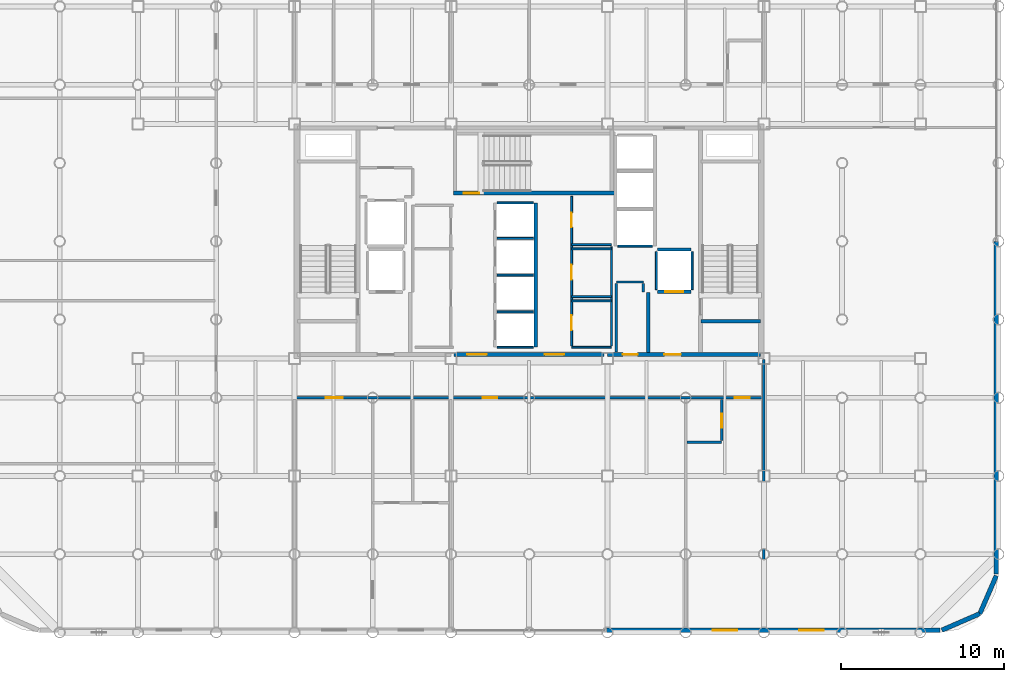
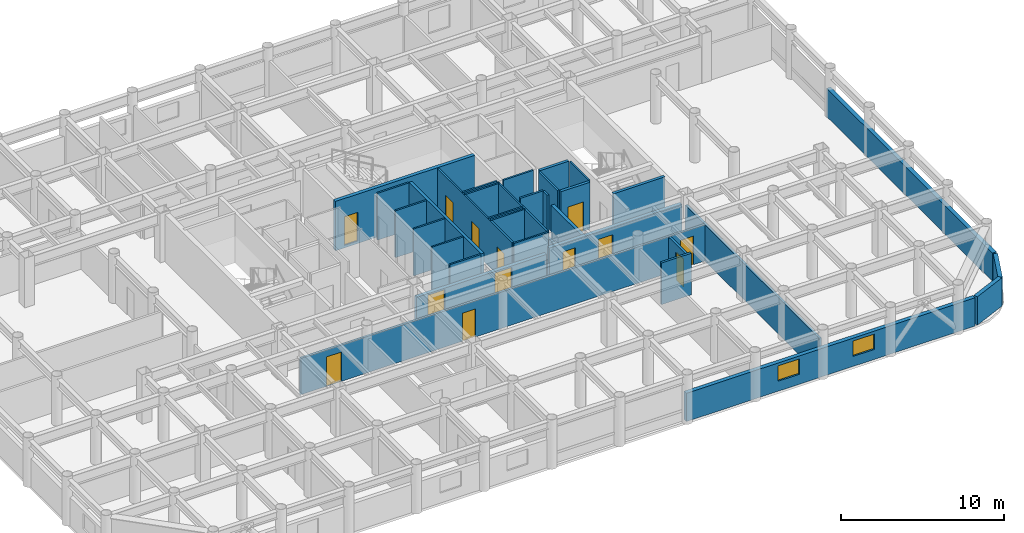
# One storey, part 17 of 20: 34 walls, 13 doors, 2 windows, 15 openings.
"""IFC4 building model written with IfcOpenShell, lengths in metres."""

import ifcopenshell
import ifcopenshell.guid

model = None  # the IFC model being written
_history = None  # IfcOwnerHistory: only IFC2X3 demands one
_inside = {}  # id of a spatial element -> (the spatial element, [elements in it])
_under = {}  # id of a project, library or spatial element -> (it, [spatial elements below it])
_declared = {}  # id of a project -> (the project, [libraries it declares])
_typed = {}  # id of a type object -> (the type object, [elements of that type])
_made_of = {}  # id of a material, layer set ... -> (it, [elements and type objects made of it])


def new_model(schema):
    """Start an empty IFC model of exactly this schema.

    Asked for "IFC4X3", IfcOpenShell would pick the latest addendum, in which some entities
    have other attributes; the version numbers below select the first issue.
    IFC2X3 requires an IfcOwnerHistory on every rooted entity: one is made here for all.
    """
    global model, _history
    if schema == "IFC4X3":
        model = ifcopenshell.file(schema_version=(4, 3, 0, 0))
    else:
        model = ifcopenshell.file(schema=schema)
    _inside.clear()
    _under.clear()
    _declared.clear()
    _typed.clear()
    _made_of.clear()
    _history = None
    if model.schema == "IFC2X3":
        org = make("IfcOrganization", Name="unknown")
        user = make(
            "IfcPersonAndOrganization",
            ThePerson=make("IfcPerson", FamilyName="unknown"),
            TheOrganization=org,
        )
        app = make(
            "IfcApplication",
            ApplicationDeveloper=org,
            Version="unknown",
            ApplicationFullName="unknown",
            ApplicationIdentifier="unknown",
        )
        _history = make(
            "IfcOwnerHistory",
            OwningUser=user,
            OwningApplication=app,
            ChangeAction="ADDED",
            CreationDate=0,
        )
    return model


def make(cls, **values):
    """One entity of the class cls with the attributes given. An attribute that is None is left unset."""
    return model.create_entity(
        cls, **{name: value for name, value in values.items() if value is not None}
    )


def rooted(cls, **values):
    """An entity with a GlobalId (a new one), such as an element, a storey or a relation."""
    return make(cls, GlobalId=ifcopenshell.guid.new(), OwnerHistory=_history, **values)


def si_unit(unit_type, name, prefix=None):
    """IfcSIUnit, for example si_unit("LENGTHUNIT", "METRE", prefix="MILLI")."""
    return make("IfcSIUnit", UnitType=unit_type, Prefix=prefix, Name=name)


def assignment(units):
    """IfcUnitAssignment: the units of a project."""
    return None if units is None else make("IfcUnitAssignment", Units=units)


def point(xyz):
    """IfcCartesianPoint."""
    return None if xyz is None else make("IfcCartesianPoint", Coordinates=xyz)


def direction(xyz):
    """IfcDirection."""
    return None if xyz is None else make("IfcDirection", DirectionRatios=xyz)


def frame(location, z_axis=None, x_axis=None):
    """IfcAxis2Placement3D, a coordinate frame: its origin and axes. An axis left out is left unset."""
    return make(
        "IfcAxis2Placement3D",
        Location=point(location),
        Axis=direction(z_axis),
        RefDirection=direction(x_axis),
    )


def frame_2d(location, x_axis=None):
    """IfcAxis2Placement2D, a coordinate frame in the plane: its origin and x axis."""
    return make(
        "IfcAxis2Placement2D", Location=point(location), RefDirection=direction(x_axis)
    )


def origin():
    """The frame at (0, 0, 0) with its axes left unset."""
    return frame((0.0, 0.0, 0.0))


def place(relative_to, where):
    """IfcLocalPlacement: puts the frame where relative to a parent placement (None: the world)."""
    return make(
        "IfcLocalPlacement", PlacementRelTo=relative_to, RelativePlacement=where
    )


def context(
    kind, dimensions, precision=None, world=None, true_north=None, identifier=None
):
    """IfcGeometricRepresentationContext, for example the 3D "Model" context."""
    return make(
        "IfcGeometricRepresentationContext",
        ContextIdentifier=identifier,
        ContextType=kind,
        CoordinateSpaceDimension=dimensions,
        Precision=precision,
        WorldCoordinateSystem=world,
        TrueNorth=true_north,
    )


def subcontext(parent, identifier, kind, view, scale=None):
    """IfcGeometricRepresentationSubContext, for example "Body" below "Model"."""
    return make(
        "IfcGeometricRepresentationSubContext",
        ContextIdentifier=identifier,
        ContextType=kind,
        ParentContext=parent,
        TargetScale=scale,
        TargetView=view,
    )


def project(units=None, contexts=None):
    """IfcProject with its units and contexts."""
    return rooted(
        "IfcProject",
        Name="project",
        RepresentationContexts=contexts,
        UnitsInContext=assignment(units),
    )


def spatial(cls, under=None, at=None, **own):
    """A site, building, storey or space (cls), placed at a placement, below another one or the project."""
    s = rooted(cls, ObjectPlacement=at, **own)
    if under is not None:
        _under.setdefault(under.id(), (under, []))[1].append(s)
    return s


def profile(cls, at=None, kind="AREA", **sizes):
    """A parametric profile (cls). Its sizes go by their IFC names, for example OverallWidth=200.0."""
    return make(cls, ProfileType=kind, Position=at, **sizes)


def rectangle(**sizes):
    """IfcRectangleProfileDef."""
    return profile("IfcRectangleProfileDef", **sizes)


def extrude(swept, where, along, depth):
    """IfcExtrudedAreaSolid: the profile swept, set in the frame where, extruded along a direction by depth."""
    return make(
        "IfcExtrudedAreaSolid",
        SweptArea=swept,
        Position=where,
        ExtrudedDirection=direction(along),
        Depth=depth,
    )


def shape(context_of_items, identifier, shape_type, items):
    """IfcShapeRepresentation: the items that make up one representation, for example the "Body"."""
    return make(
        "IfcShapeRepresentation",
        ContextOfItems=context_of_items,
        RepresentationIdentifier=identifier,
        RepresentationType=shape_type,
        Items=items,
    )


def material(Name=None, Category=None):
    """IfcMaterial."""
    return make("IfcMaterial", Name=Name, Category=Category)


def layer(
    of_material, thickness, ventilated=None, Name=None, Category=None, Priority=None
):
    """IfcMaterialLayer: one layer of a wall or slab, of a material (None: an air gap)."""
    return make(
        "IfcMaterialLayer",
        Material=of_material,
        LayerThickness=thickness,
        IsVentilated=ventilated,
        Name=Name,
        Category=Category,
        Priority=Priority,
    )


def layer_set(layers, Name=None):
    """IfcMaterialLayerSet."""
    return make("IfcMaterialLayerSet", MaterialLayers=layers, LayerSetName=Name)


def made_of(thing, what):
    """Note that an element or type object is made of a material, layer set ...; save() writes the relation."""
    if what is not None:
        _made_of.setdefault(what.id(), (what, []))[1].append(thing)
    return thing


def type_object(cls, material=None, **own):
    """A type object (cls), such as IfcWallType, which elements share."""
    return made_of(rooted(cls, **own), material)


def element(
    cls,
    number,
    at=None,
    inside=None,
    cuts=None,
    type_object=None,
    material=None,
    context=None,
    identifier="Body",
    shape_type=None,
    held_by="IfcProductDefinitionShape",
    body=None,
    shapes=None,
    **own,
):
    """One element of the class cls, such as IfcWall. Its Tag is "e" and its number.

    at: its placement. inside: the storey or other place that contains it. cuts: it is an
    opening in that element (IfcRelVoidsElement). A single representation is given by context,
    identifier, shape_type and body (its items); several are given by shapes. held_by: the class
    of the entity that holds the representations. save() writes the other relations.
    """
    e = rooted(cls, Tag="e%d" % number, ObjectPlacement=at, **own)
    if body is not None:
        shapes = [shape(context, identifier, shape_type, body)]
    if shapes is not None:
        e.Representation = make(held_by, Representations=shapes)
    if inside is not None:
        _inside.setdefault(inside.id(), (inside, []))[1].append(e)
    if cuts is not None:
        rooted(
            "IfcRelVoidsElement", RelatingBuildingElement=cuts, RelatedOpeningElement=e
        )
    if type_object is not None:
        _typed.setdefault(type_object.id(), (type_object, []))[1].append(e)
    return made_of(e, material)


def fill(opening, filler):
    """IfcRelFillsElement: the door or window that sits in an opening."""
    return rooted(
        "IfcRelFillsElement",
        RelatingOpeningElement=opening,
        RelatedBuildingElement=filler,
    )


def aggregate(whole, parts):
    """IfcRelAggregates: a whole, such as a stair, and the parts it consists of."""
    return rooted("IfcRelAggregates", RelatingObject=whole, RelatedObjects=parts)


def save(model, path):
    """Write the relations noted so far, then the file.

    IfcRelAggregates (storeys below a building ...), IfcRelContainedInSpatialStructure (elements
    in a storey), IfcRelDefinesByType, IfcRelAssociatesMaterial and IfcRelDeclares: one each for
    every whole, place, type object, material and project.
    """
    for whole, parts in _under.values():
        aggregate(whole, parts)
    for where, things in _inside.values():
        rooted(
            "IfcRelContainedInSpatialStructure",
            RelatedElements=things,
            RelatingStructure=where,
        )
    for kind, things in _typed.values():
        rooted("IfcRelDefinesByType", RelatedObjects=things, RelatingType=kind)
    for what, things in _made_of.values():
        rooted("IfcRelAssociatesMaterial", RelatedObjects=things, RelatingMaterial=what)
    for by, libraries in _declared.values():
        rooted("IfcRelDeclares", RelatingContext=by, RelatedDefinitions=libraries)
    model.write(path)


model = new_model("IFC4")

# Units and contexts
model_context = context("Model", 3, precision=1e-05, world=origin(), true_north=direction((0.0, 1.0)))
body_context = subcontext(model_context, "Body", "Model", "MODEL_VIEW")
ifc_project = project(units=[si_unit("LENGTHUNIT", "METRE"), si_unit("AREAUNIT", "SQUARE_METRE"), si_unit("VOLUMEUNIT", "CUBIC_METRE"), si_unit("PLANEANGLEUNIT", "RADIAN"), si_unit("MASSUNIT", "GRAM", prefix="KILO")], contexts=[model_context])

# Site, building, storey
site_placement = place(None, origin())
site = spatial("IfcSite", under=ifc_project, at=site_placement, CompositionType="ELEMENT")
building_placement = place(site_placement, origin())
building = spatial("IfcBuilding", under=site, at=building_placement, Name="Kallvorn Hotel Tower", CompositionType="ELEMENT")
storey_placement = place(building_placement, frame((0.0, 0.0, 172.89990234375)))
storey = spatial("IfcBuildingStorey", under=building, at=storey_placement, Name="L43", CompositionType="ELEMENT", Elevation=172.89990234375)

# Wall
ifc_material_1 = material(Name="Fire-rated double-layer acoustic gypsum drywall EI 60")
ifc_layer_1 = layer(ifc_material_1, 0.159912109375)
ifc_layer_set_1 = layer_set([ifc_layer_1], Name="WL_DEMISE_160")
wall_type_1 = type_object("IfcWallType", Name="WL_DEMISE_160", PredefinedType="PARTITIONING", material=ifc_layer_set_1)
wall_1_placement = place(storey_placement, frame((9.679931640625, -12.320068359375, 0.0), z_axis=(0.0, 0.0, 1.0), x_axis=(1.0, 0.0, 0.0)))
element("IfcWall", 1, at=wall_1_placement, inside=storey, type_object=wall_type_1, Name="L43 Suite 4302 Deluxe King Room Partition", PredefinedType="PARTITIONING", context=body_context, shape_type="SweptSolid", body=[
    extrude(rectangle(XDim=2.130126953125, YDim=0.159912109375, at=frame_2d((1.06494140625, 0.0))), origin(), (0.0, 0.0, 1.0), 3.1201171875),
])

# Wall, openings, doors
wall_2_placement = place(storey_placement, frame((-14.320068359375, -9.60009765625, 0.0), z_axis=(0.0, 0.0, 1.0), x_axis=(1.0, 0.0, 0.0)))
wall_2 = element("IfcWall", 2, at=wall_2_placement, inside=storey, type_object=wall_type_1, Name="L43 Suite 4301 Executive Living Salon Partition", PredefinedType="PARTITIONING", context=body_context, shape_type="SweptSolid", body=[
    extrude(rectangle(XDim=28.64013671875, YDim=0.159912109375, at=frame_2d((14.320068359375, 0.0))), origin(), (0.0, 0.0, 1.0), 2.72021484375),
])
opening_1_placement = place(wall_2_placement, frame((1.8349609375, 0.0, 0.0)))
opening_1 = element("IfcOpeningElement", 3, at=opening_1_placement, cuts=wall_2, Name="Opening GD2", PredefinedType="OPENING", context=body_context, shape_type="SweptSolid", body=[
    extrude(rectangle(XDim=1.050048828125, YDim=2.199951171875, at=frame_2d((0.52490234375, 1.10009765625))), frame((0.0, 0.094970703125, 0.0), z_axis=(0.0, -1.0, 0.0), x_axis=(1.0, 0.0, 0.0)), (0.0, 0.0, 1.0), 0.18994140625),
])
opening_2_placement = place(wall_2_placement, frame((11.469970703125, 0.0, 0.0)))
opening_2 = element("IfcOpeningElement", 4, at=opening_2_placement, cuts=wall_2, Name="Opening SVD1", PredefinedType="OPENING", context=body_context, shape_type="SweptSolid", body=[
    extrude(rectangle(XDim=0.89990234375, YDim=2.10009765625, at=frame_2d((0.449951171875, 1.050048828125))), frame((0.0, 0.094970703125, 0.0), z_axis=(0.0, -1.0, 0.0), x_axis=(1.0, 0.0, 0.0)), (0.0, 0.0, 1.0), 0.18994140625),
])
opening_3_placement = place(wall_2_placement, frame((26.925048828125, 0.0, 0.0)))
opening_3 = element("IfcOpeningElement", 5, at=opening_3_placement, cuts=wall_2, Name="Opening GD1", PredefinedType="OPENING", context=body_context, shape_type="SweptSolid", body=[
    extrude(rectangle(XDim=0.919921875, YDim=2.14990234375, at=frame_2d((0.4599609375, 1.074951171875))), frame((0.0, 0.094970703125, 0.0), z_axis=(0.0, -1.0, 0.0), x_axis=(1.0, 0.0, 0.0)), (0.0, 0.0, 1.0), 0.18994140625),
])
ifc_material_2 = material(Name="Solid-core walnut veneer fire-rated timber door leaf", Category="wood")
door_type_1 = type_object("IfcDoorType", Name="DR_GUEST_920x2150", OperationType="NOTDEFINED", PredefinedType="DOOR", material=ifc_material_2)
door_1_placement = place(opening_3_placement, origin())
door_1 = element("IfcDoor", 6, at=door_1_placement, inside=storey, type_object=door_type_1, Name="L43 Suite 4302 Deluxe King Room Door", OperationType="SINGLE_SWING_RIGHT", OverallHeight=2.14990234375, OverallWidth=0.919921875, PredefinedType="DOOR", context=body_context, shape_type="SweptSolid", body=[
    extrude(rectangle(XDim=0.919921875, YDim=2.14990234375, at=frame_2d((0.4599609375, 1.074951171875))), frame((0.0, 0.02490234375, 0.0), z_axis=(0.0, -1.0, 0.0), x_axis=(1.0, 0.0, 0.0)), (0.0, 0.0, 1.0), 0.050048828125),
])
fill(opening_3, door_1)
ifc_material_3 = material(Name="Galvanised painted steel fire-rated door assembly", Category="steel")
door_type_2 = type_object("IfcDoorType", Name="DR_SERV_900x2100", OperationType="NOTDEFINED", PredefinedType="DOOR", material=ifc_material_3)
door_2_placement = place(opening_2_placement, origin())
door_2 = element("IfcDoor", 7, at=door_2_placement, inside=storey, type_object=door_type_2, Name="L43 L43 Panoramic Club Sky Lounge 2 Door", OperationType="SINGLE_SWING_RIGHT", OverallHeight=2.10009765625, OverallWidth=0.89990234375, PredefinedType="DOOR", context=body_context, shape_type="SweptSolid", body=[
    extrude(rectangle(XDim=0.89990234375, YDim=2.10009765625, at=frame_2d((0.449951171875, 1.050048828125))), frame((0.0, 0.02490234375, 0.0), z_axis=(0.0, -1.0, 0.0), x_axis=(1.0, 0.0, 0.0)), (0.0, 0.0, 1.0), 0.050048828125),
])
fill(opening_2, door_2)
ifc_material_4 = material(Name="Solid-core walnut veneer fire-rated timber door leaf", Category="wood")
door_type_3 = type_object("IfcDoorType", Name="DR_SUITE_1050x2200", OperationType="NOTDEFINED", PredefinedType="DOOR", material=ifc_material_4)
door_3_placement = place(opening_1_placement, origin())
door_3 = element("IfcDoor", 8, at=door_3_placement, inside=storey, type_object=door_type_3, Name="L43 Suite 4301 Executive Living Salon Door", OperationType="SINGLE_SWING_LEFT", OverallHeight=2.199951171875, OverallWidth=1.050048828125, PredefinedType="DOOR", context=body_context, shape_type="SweptSolid", body=[
    extrude(rectangle(XDim=1.050048828125, YDim=2.199951171875, at=frame_2d((0.52490234375, 1.10009765625))), frame((0.0, 0.02490234375, 0.0), z_axis=(0.0, -1.0, 0.0), x_axis=(1.0, 0.0, 0.0)), (0.0, 0.0, 1.0), 0.050048828125),
])
fill(opening_1, door_3)

# Wall, opening, door
wall_3_placement = place(storey_placement, frame((11.81005859375, -12.235107421875, 0.0), z_axis=(0.0, 0.0, 1.0), x_axis=(0.0, 1.0, 0.0)))
wall_3 = element("IfcWall", 9, at=wall_3_placement, inside=storey, type_object=wall_type_1, Name="L43 Suite 4302 Deluxe King Room Partition", PredefinedType="PARTITIONING", context=body_context, shape_type="SweptSolid", body=[
    extrude(rectangle(XDim=2.51513671875, YDim=0.159912109375, at=frame_2d((1.257568359375, 0.0))), origin(), (0.0, 0.0, 1.0), 2.72021484375),
])
opening_4_placement = place(wall_3_placement, frame((0.784912109375, 0.0, 0.0)))
opening_4 = element("IfcOpeningElement", 10, at=opening_4_placement, cuts=wall_3, Name="Opening BD-I", PredefinedType="OPENING", context=body_context, shape_type="SweptSolid", body=[
    extrude(rectangle(XDim=0.860107421875, YDim=2.10009765625, at=frame_2d((0.43017578125, 1.050048828125))), frame((0.0, 0.094970703125, 0.0), z_axis=(0.0, -1.0, 0.0), x_axis=(1.0, 0.0, 0.0)), (0.0, 0.0, 1.0), 0.18994140625),
])
ifc_material_5 = material(Name="Solid-core walnut veneer fire-rated timber door leaf", Category="wood")
door_type_4 = type_object("IfcDoorType", Name="DR_BATH_860x2100", OperationType="NOTDEFINED", PredefinedType="DOOR", material=ifc_material_5)
door_4_placement = place(opening_4_placement, origin())
door_4 = element("IfcDoor", 11, at=door_4_placement, inside=storey, type_object=door_type_4, Name="L43 Suite 4302 En-Suite Bathroom Door", OperationType="SINGLE_SWING_LEFT", OverallHeight=2.10009765625, OverallWidth=0.860107421875, PredefinedType="DOOR", context=body_context, shape_type="SweptSolid", body=[
    extrude(rectangle(XDim=0.860107421875, YDim=2.10009765625, at=frame_2d((0.43017578125, 1.050048828125))), frame((0.0, 0.02490234375, 0.0), z_axis=(0.0, -1.0, 0.0), x_axis=(1.0, 0.0, 0.0)), (0.0, 0.0, 1.0), 0.050048828125),
])
fill(opening_4, door_4)

# Walls
wall_4_placement = place(storey_placement, frame((14.39990234375, -23.7099609375, 0.0), z_axis=(0.0, 0.0, 1.0), x_axis=(0.0, 1.0, 0.0)))
element("IfcWall", 12, at=wall_4_placement, inside=storey, type_object=wall_type_1, Name="L43 Suite 4302 Deluxe King Room Partition", PredefinedType="PARTITIONING", context=body_context, shape_type="SweptSolid", body=[
    extrude(rectangle(XDim=16.469970703125, YDim=0.159912109375, at=frame_2d((8.23486328125, 0.0))), origin(), (0.0, 0.0, 1.0), 2.72021484375),
])
ifc_material_6 = material(Name="Precast basalt-clad insulated concrete wall C40/50", Category="masonry")
ifc_layer_2 = layer(ifc_material_6, 0.280029296875)
ifc_layer_set_2 = layer_set([ifc_layer_2], Name="WL_EXT_LOGGIA_280")
wall_type_2 = type_object("IfcWallType", Name="WL_EXT_LOGGIA_280", PredefinedType="SOLIDWALL", material=ifc_layer_set_2)
wall_5_placement = place(storey_placement, frame((25.32080078125, -23.85791015625, 0.0), z_axis=(0.0, 0.0, 1.0), x_axis=(0.917060872934, 0.398747232384, 0.0)))
element("IfcWall", 13, at=wall_5_placement, inside=storey, type_object=wall_type_2, Name="L43 Rounded Corner Exterior Wall SE1", PredefinedType="SOLIDWALL", context=body_context, shape_type="SweptSolid", body=[
    extrude(rectangle(XDim=2.5361328125, YDim=0.280029296875, at=frame_2d((1.26806640625, 0.0))), origin(), (0.0, 0.0, 1.0), 2.1201171875),
])
wall_6_placement = place(storey_placement, frame((27.646484375, -22.8466796875, 0.0), z_axis=(0.0, 0.0, 1.0), x_axis=(0.398792985289, 0.917040977756, 0.0)))
element("IfcWall", 14, at=wall_6_placement, inside=storey, type_object=wall_type_2, Name="L43 Rounded Corner Exterior Wall SE2", PredefinedType="SOLIDWALL", context=body_context, shape_type="SweptSolid", body=[
    extrude(rectangle(XDim=2.536376953125, YDim=0.280029296875, at=frame_2d((1.26806640625, 0.0))), origin(), (0.0, 0.0, 1.0), 2.1201171875),
])

# Wall, openings, windows
wall_7_placement = place(storey_placement, frame((4.75, -23.860107421875, 0.0), z_axis=(0.0, 0.0, 1.0), x_axis=(1.0, 0.0, 0.0)))
wall_7 = element("IfcWall", 15, at=wall_7_placement, inside=storey, type_object=wall_type_2, Name="L43 Exterior Envelope Wall EW-L43-SE", PredefinedType="SOLIDWALL", context=body_context, shape_type="SweptSolid", body=[
    extrude(rectangle(XDim=20.449951171875, YDim=0.280029296875, at=frame_2d((10.22509765625, 0.0))), origin(), (0.0, 0.0, 1.0), 2.1201171875),
])
opening_5_placement = place(wall_7_placement, frame((11.81689453125, 0.0, 0.75)))
opening_5 = element("IfcOpeningElement", 16, at=opening_5_placement, cuts=wall_7, Name="Opening W05A", PredefinedType="OPENING", context=body_context, shape_type="SweptSolid", body=[
    extrude(rectangle(XDim=1.5, YDim=1.14990234375, at=frame_2d((0.75, 0.574951171875))), frame((0.0, 0.155029296875, 0.0), z_axis=(0.0, -1.0, 0.0), x_axis=(1.0, 0.0, 0.0)), (0.0, 0.0, 1.0), 0.31005859375),
])
opening_6_placement = place(wall_7_placement, frame((6.5, 0.0, 0.75)))
opening_6 = element("IfcOpeningElement", 17, at=opening_6_placement, cuts=wall_7, Name="Opening W05A", PredefinedType="OPENING", context=body_context, shape_type="SweptSolid", body=[
    extrude(rectangle(XDim=1.5, YDim=1.14990234375, at=frame_2d((0.75, 0.574951171875))), frame((0.0, 0.155029296875, 0.0), z_axis=(0.0, -1.0, 0.0), x_axis=(1.0, 0.0, 0.0)), (0.0, 0.0, 1.0), 0.31005859375),
])
ifc_material_7 = material(Name="Double-glazed low-e solar-control dark glass", Category="glass")
window_type = type_object("IfcWindowType", Name="WN_HTL_1500x1150", PartitioningType="SINGLE_PANEL", PredefinedType="WINDOW", material=ifc_material_7)
window_1_placement = place(opening_5_placement, origin())
window_1 = element("IfcWindow", 18, at=window_1_placement, inside=storey, type_object=window_type, Name="L43 Guestroom Exterior Window 05", OverallHeight=1.14990234375, OverallWidth=1.5, PartitioningType="SINGLE_PANEL", PredefinedType="WINDOW", context=body_context, shape_type="SweptSolid", body=[
    extrude(rectangle(XDim=1.5, YDim=1.14990234375, at=frame_2d((0.75, 0.574951171875))), frame((0.0, 0.030029296875, 0.0), z_axis=(0.0, -1.0, 0.0), x_axis=(1.0, 0.0, 0.0)), (0.0, 0.0, 1.0), 0.06005859375),
])
fill(opening_5, window_1)
window_2_placement = place(opening_6_placement, origin())
window_2 = element("IfcWindow", 19, at=window_2_placement, inside=storey, type_object=window_type, Name="L43 Guestroom Exterior Window 08", OverallHeight=1.14990234375, OverallWidth=1.5, PartitioningType="SINGLE_PANEL", PredefinedType="WINDOW", context=body_context, shape_type="SweptSolid", body=[
    extrude(rectangle(XDim=1.5, YDim=1.14990234375, at=frame_2d((0.75, 0.574951171875))), frame((0.0, 0.030029296875, 0.0), z_axis=(0.0, -1.0, 0.0), x_axis=(1.0, 0.0, 0.0)), (0.0, 0.0, 1.0), 0.06005859375),
])
fill(opening_6, window_2)

# Walls
wall_8_placement = place(storey_placement, frame((28.659912109375, -20.39990234375, 0.0), z_axis=(0.0, 0.0, 1.0), x_axis=(0.0, 1.0, 0.0)))
element("IfcWall", 20, at=wall_8_placement, inside=storey, type_object=wall_type_2, Name="L43 Exterior Envelope Wall EW-L43-ES", PredefinedType="SOLIDWALL", context=body_context, shape_type="SweptSolid", body=[
    extrude(rectangle(XDim=20.3798828125, YDim=0.280029296875, at=frame_2d((10.18994140625, 0.0))), origin(), (0.0, 0.0, 1.0), 2.1201171875),
])
ifc_material_8 = material(Name="Concrete C40/50", Category="concrete")
ifc_layer_3 = layer(ifc_material_8, 0.219970703125)
ifc_layer_set_3 = layer_set([ifc_layer_3], Name="WL_FFL_220")
wall_type_3 = type_object("IfcWallType", Name="WL_FFL_220", PredefinedType="SOLIDWALL", material=ifc_layer_set_3)
wall_9_placement = place(storey_placement, frame((7.300048828125, -6.820068359375, 0.0), z_axis=(0.0, 0.0, 1.0), x_axis=(0.0, 1.0, 0.0)))
element("IfcWall", 21, at=wall_9_placement, inside=storey, type_object=wall_type_3, Name="L43 Firefighting Lobby East Divider Wall", PredefinedType="SOLIDWALL", context=body_context, shape_type="SweptSolid", body=[
    extrude(rectangle(XDim=3.670166015625, YDim=0.219970703125, at=frame_2d((1.8349609375, 0.0))), origin(), (0.0, 0.0, 1.0), 2.72021484375),
])
ifc_material_9 = material(Name="Concrete C40/50", Category="concrete")
ifc_layer_4 = layer(ifc_material_9, 0.199951171875)
ifc_layer_set_4 = layer_set([ifc_layer_4], Name="WL_HOIST_200")
wall_type_4 = type_object("IfcWallType", Name="WL_HOIST_200", PredefinedType="SOLIDWALL", material=ifc_layer_set_4)
wall_10_placement = place(storey_placement, frame((10.550048828125, -4.89990234375, -0.179931640625), z_axis=(0.0, 0.0, 1.0), x_axis=(1.0, 0.0, 0.0)))
element("IfcWall", 22, at=wall_10_placement, inside=storey, type_object=wall_type_4, Name="L43 Stair ST2 South Wall", PredefinedType="SOLIDWALL", context=body_context, shape_type="SweptSolid", body=[
    extrude(rectangle(XDim=3.64990234375, YDim=0.199951171875, at=frame_2d((1.824951171875, 0.0))), origin(), (0.0, 0.0, 1.0), 3.699951171875),
])
wall_11_placement = place(storey_placement, frame((0.39990234375, -6.5, 0.0), z_axis=(0.0, 0.0, 1.0), x_axis=(0.0, 1.0, 0.0)))
element("IfcWall", 23, at=wall_11_placement, inside=storey, type_object=wall_type_4, Name="L43 Lift Bank B2 Rear Shaft Wall", PredefinedType="SOLIDWALL", context=body_context, shape_type="SweptSolid", body=[
    extrude(rectangle(XDim=8.85009765625, YDim=0.199951171875, at=frame_2d((4.425048828125, 0.0))), origin(), (0.0, 0.0, 1.0), 3.52001953125),
])

# Wall, opening, door
wall_12_placement = place(storey_placement, frame((7.8798828125, -3.10009765625, 0.0), z_axis=(0.0, 0.0, 1.0), x_axis=(1.0, 0.0, 0.0)))
wall_12 = element("IfcWall", 24, at=wall_12_placement, inside=storey, type_object=wall_type_4, Name="L43 FL-2 Landing Wall", PredefinedType="SOLIDWALL", context=body_context, shape_type="SweptSolid", body=[
    extrude(rectangle(XDim=2.0400390625, YDim=0.199951171875, at=frame_2d((1.02001953125, 0.0))), origin(), (0.0, 0.0, 1.0), 3.52001953125),
])
opening_7_placement = place(wall_12_placement, frame((0.469970703125, 0.0, 0.0)))
opening_7 = element("IfcOpeningElement", 25, at=opening_7_placement, cuts=wall_12, Name="Opening LD-FL-2", PredefinedType="OPENING", context=body_context, shape_type="SweptSolid", body=[
    extrude(rectangle(XDim=1.10009765625, YDim=2.199951171875, at=frame_2d((0.550048828125, 1.10009765625))), frame((0.0, 0.114990234375, 0.0), z_axis=(0.0, -1.0, 0.0), x_axis=(1.0, 0.0, 0.0)), (0.0, 0.0, 1.0), 0.22998046875),
])
ifc_material_10 = material(Name="Brushed stainless-steel automatic sliding lift landing door", Category="steel")
door_type_5 = type_object("IfcDoorType", Name="LD_PASS_1100x2200", OperationType="SLIDING_TO_LEFT", PredefinedType="DOOR", material=ifc_material_10)
door_5_placement = place(opening_7_placement, origin())
door_5 = element("IfcDoor", 26, at=door_5_placement, inside=storey, type_object=door_type_5, Name="L43 Lift Landing Sliding Door LD-FL-2", OperationType="SLIDING_TO_LEFT", OverallHeight=2.199951171875, OverallWidth=1.10009765625, PredefinedType="DOOR", context=body_context, shape_type="SweptSolid", body=[
    extrude(rectangle(XDim=1.10009765625, YDim=2.199951171875, at=frame_2d((0.550048828125, 1.10009765625))), frame((0.0, 0.02490234375, 0.0), z_axis=(0.0, -1.0, 0.0), x_axis=(1.0, 0.0, 0.0)), (0.0, 0.0, 1.0), 0.050048828125),
])
fill(opening_7, door_5)

# Walls
wall_13_placement = place(storey_placement, frame((7.8798828125, -0.5, 0.0), z_axis=(0.0, 0.0, 1.0), x_axis=(1.0, 0.0, 0.0)))
element("IfcWall", 27, at=wall_13_placement, inside=storey, type_object=wall_type_4, Name="L43 FL-2 Rear Shaft Wall", PredefinedType="SOLIDWALL", context=body_context, shape_type="SweptSolid", body=[
    extrude(rectangle(XDim=2.0400390625, YDim=0.199951171875, at=frame_2d((1.02001953125, 0.0))), origin(), (0.0, 0.0, 1.0), 3.52001953125),
])
ifc_material_11 = material(Name="Fire-rated double-layer acoustic gypsum drywall EI 60")
ifc_layer_5 = layer(ifc_material_11, 0.1201171875)
ifc_layer_set_5 = layer_set([ifc_layer_5], Name="WL_INT_120")
wall_type_5 = type_object("IfcWallType", Name="WL_INT_120", PredefinedType="PARTITIONING", material=ifc_layer_set_5)
for number, where, z_axis, x_axis, name in (
    (28, (-1.9599609375, -6.5, 0.0), (0.0, 0.0, 1.0), (1.0, 0.0, 0.0), "L43 Lift Bank B2 South Closure Wall"),
    (29, (-1.9599609375, -4.324951171875, 0.0), (0.0, 0.0, 1.0), (1.0, 0.0, 0.0), "L43 PL-05 Hoistway Divider"),
    (30, (-1.9599609375, -2.074951171875, 0.0), (0.0, 0.0, 1.0), (1.0, 0.0, 0.0), "L43 PL-06 Hoistway Divider"),
    (31, (-1.9599609375, 0.175048828125, 0.0), (0.0, 0.0, 1.0), (1.0, 0.0, 0.0), "L43 PL-07 Hoistway Divider"),
    (32, (-1.9599609375, 2.35009765625, 0.0), (0.0, 0.0, 1.0), (1.0, 0.0, 0.0), "L43 PL-08 Hoistway Divider"),
):
    element("IfcWall", number, at=place(storey_placement, frame(where, z_axis=z_axis, x_axis=x_axis)), inside=storey, type_object=wall_type_5, Name=name, PredefinedType="PARTITIONING", context=body_context, shape_type="SweptSolid", body=[
        extrude(rectangle(XDim=2.219970703125, YDim=0.1201171875, at=frame_2d((1.10986328125, 0.0))), origin(), (0.0, 0.0, 1.0), 3.52001953125),
    ])
wall_14_placement = place(storey_placement, frame((5.43994140625, -0.300048828125, 0.0), z_axis=(0.0, 0.0, 1.0), x_axis=(1.0, 0.0, 0.0)))
element("IfcWall", 33, at=wall_14_placement, inside=storey, type_object=wall_type_5, Name="L43 Lift Bank OBS South Closure Wall", PredefinedType="PARTITIONING", context=body_context, shape_type="SweptSolid", body=[
    extrude(rectangle(XDim=2.1201171875, YDim=0.1201171875, at=frame_2d((1.06005859375, 0.0))), origin(), (0.0, 0.0, 1.0), 3.52001953125),
])
for number, where, z_axis, x_axis, name in (
    (34, (7.800048828125, -2.9599609375, 0.0), (0.0, 0.0, 1.0), (0.0, 1.0, 0.0), "L43 FL-2 West Shaft Wall"),
    (35, (10.0, -2.9599609375, 0.0), (0.0, 0.0, 1.0), (0.0, 1.0, 0.0), "L43 FL-2 East Shaft Wall"),
):
    element("IfcWall", number, at=place(storey_placement, frame(where, z_axis=z_axis, x_axis=x_axis)), inside=storey, type_object=wall_type_5, Name=name, PredefinedType="PARTITIONING", context=body_context, shape_type="SweptSolid", body=[
        extrude(rectangle(XDim=2.320068359375, YDim=0.1201171875, at=frame_2d((1.16015625, 0.0))), origin(), (0.0, 0.0, 1.0), 3.52001953125),
    ])
for number, where, z_axis, x_axis, name in (
    (36, (2.60009765625, -6.5, 0.0), (0.0, 0.0, 1.0), (1.0, 0.0, 0.0), "L43 East Core Minibar Store Partition"),
    (37, (2.60009765625, -3.659912109375, 0.0), (0.0, 0.0, 1.0), (1.0, 0.0, 0.0), "L43 East Core Minibar Store Partition"),
    (38, (2.60009765625, -3.39990234375, 0.0), (0.0, 0.0, 1.0), (1.0, 0.0, 0.0), "L43 East Core Housekeeping Supply Closet Partition"),
    (39, (2.60009765625, -0.466796875, 0.0), (0.0, 0.0, 1.0), (1.0, 0.0, 0.0), "L43 East Core Housekeeping Supply Closet Partition"),
    (40, (2.60009765625, -0.199951171875, 0.0), (0.0, 0.0, 1.0), (1.0, 0.0, 0.0), "L43 East Core Cleaners Room Partition"),
):
    element("IfcWall", number, at=place(storey_placement, frame(where, z_axis=z_axis, x_axis=x_axis)), inside=storey, type_object=wall_type_5, Name=name, PredefinedType="PARTITIONING", context=body_context, shape_type="SweptSolid", body=[
        extrude(rectangle(XDim=2.449951171875, YDim=0.1201171875, at=frame_2d((1.22509765625, 0.0))), origin(), (0.0, 0.0, 1.0), 3.52001953125),
    ])

# Wall, openings, doors
wall_15_placement = place(storey_placement, frame((2.60009765625, -6.4150390625, 0.0), z_axis=(0.0, 0.0, 1.0), x_axis=(0.0, 1.0, 0.0)))
wall_15 = element("IfcWall", 41, at=wall_15_placement, inside=storey, type_object=wall_type_5, Name="L43 East Core Minibar Store Partition", PredefinedType="PARTITIONING", context=body_context, shape_type="SweptSolid", body=[
    extrude(rectangle(XDim=9.1650390625, YDim=0.1201171875, at=frame_2d((4.58251953125, 0.0))), origin(), (0.0, 0.0, 1.0), 3.52001953125),
])
opening_8_placement = place(wall_15_placement, frame((0.965087890625, 0.0, 0.0)))
opening_8 = element("IfcOpeningElement", 42, at=opening_8_placement, cuts=wall_15, Name="Opening SVD1", PredefinedType="OPENING", context=body_context, shape_type="SweptSolid", body=[
    extrude(rectangle(XDim=0.89990234375, YDim=2.10009765625, at=frame_2d((0.449951171875, 1.050048828125))), frame((0.0, 0.074951171875, 0.0), z_axis=(0.0, -1.0, 0.0), x_axis=(1.0, 0.0, 0.0)), (0.0, 0.0, 1.0), 0.150146484375),
])
opening_9_placement = place(wall_15_placement, frame((4.06494140625, 0.0, 0.0)))
opening_9 = element("IfcOpeningElement", 43, at=opening_9_placement, cuts=wall_15, Name="Opening SVD1", PredefinedType="OPENING", context=body_context, shape_type="SweptSolid", body=[
    extrude(rectangle(XDim=0.89990234375, YDim=2.10009765625, at=frame_2d((0.449951171875, 1.050048828125))), frame((0.0, 0.074951171875, 0.0), z_axis=(0.0, -1.0, 0.0), x_axis=(1.0, 0.0, 0.0)), (0.0, 0.0, 1.0), 0.150146484375),
])
opening_10_placement = place(wall_15_placement, frame((7.264892578125, 0.0, 0.0)))
opening_10 = element("IfcOpeningElement", 44, at=opening_10_placement, cuts=wall_15, Name="Opening SVD1", PredefinedType="OPENING", context=body_context, shape_type="SweptSolid", body=[
    extrude(rectangle(XDim=0.89990234375, YDim=2.10009765625, at=frame_2d((0.449951171875, 1.050048828125))), frame((0.0, 0.074951171875, 0.0), z_axis=(0.0, -1.0, 0.0), x_axis=(1.0, 0.0, 0.0)), (0.0, 0.0, 1.0), 0.150146484375),
])
door_6_placement = place(opening_8_placement, origin())
door_6 = element("IfcDoor", 45, at=door_6_placement, inside=storey, type_object=door_type_2, Name="L43 East Core Minibar Store Door", OperationType="SINGLE_SWING_RIGHT", OverallHeight=2.10009765625, OverallWidth=0.89990234375, PredefinedType="DOOR", context=body_context, shape_type="SweptSolid", body=[
    extrude(rectangle(XDim=0.89990234375, YDim=2.10009765625, at=frame_2d((0.449951171875, 1.050048828125))), frame((0.0, 0.02490234375, 0.0), z_axis=(0.0, -1.0, 0.0), x_axis=(1.0, 0.0, 0.0)), (0.0, 0.0, 1.0), 0.050048828125),
])
fill(opening_8, door_6)
door_7_placement = place(opening_9_placement, origin())
door_7 = element("IfcDoor", 46, at=door_7_placement, inside=storey, type_object=door_type_2, Name="L43 East Core Housekeeping Supply Closet Door", OperationType="SINGLE_SWING_LEFT", OverallHeight=2.10009765625, OverallWidth=0.89990234375, PredefinedType="DOOR", context=body_context, shape_type="SweptSolid", body=[
    extrude(rectangle(XDim=0.89990234375, YDim=2.10009765625, at=frame_2d((0.449951171875, 1.050048828125))), frame((0.0, 0.02490234375, 0.0), z_axis=(0.0, -1.0, 0.0), x_axis=(1.0, 0.0, 0.0)), (0.0, 0.0, 1.0), 0.050048828125),
])
fill(opening_9, door_7)
door_8_placement = place(opening_10_placement, origin())
door_8 = element("IfcDoor", 47, at=door_8_placement, inside=storey, type_object=door_type_2, Name="L43 East Core Cleaners Room Door", OperationType="SINGLE_SWING_RIGHT", OverallHeight=2.10009765625, OverallWidth=0.89990234375, PredefinedType="DOOR", context=body_context, shape_type="SweptSolid", body=[
    extrude(rectangle(XDim=0.89990234375, YDim=2.10009765625, at=frame_2d((0.449951171875, 1.050048828125))), frame((0.0, 0.02490234375, 0.0), z_axis=(0.0, -1.0, 0.0), x_axis=(1.0, 0.0, 0.0)), (0.0, 0.0, 1.0), 0.050048828125),
])
fill(opening_10, door_8)

# Walls
wall_16_placement = place(storey_placement, frame((5.050048828125, -6.4150390625, 0.0), z_axis=(0.0, 0.0, 1.0), x_axis=(0.0, 1.0, 0.0)))
element("IfcWall", 48, at=wall_16_placement, inside=storey, type_object=wall_type_5, Name="L43 East Core Minibar Store Partition", PredefinedType="PARTITIONING", context=body_context, shape_type="SweptSolid", body=[
    extrude(rectangle(XDim=6.074951171875, YDim=0.1201171875, at=frame_2d((3.03759765625, 0.0))), origin(), (0.0, 0.0, 1.0), 3.52001953125),
])
ifc_material_12 = material(Name="Moisture-resistant acoustic plumbing chase wall EI 60")
ifc_layer_6 = layer(ifc_material_12, 0.139892578125)
ifc_layer_set_6 = layer_set([ifc_layer_6], Name="WL_PLUMB_140")
wall_type_6 = type_object("IfcWallType", Name="WL_PLUMB_140", PredefinedType="PLUMBINGWALL", material=ifc_layer_set_6)
wall_17_placement = place(storey_placement, frame((5.35009765625, -2.5, 0.0), z_axis=(0.0, 0.0, 1.0), x_axis=(1.0, 0.0, 0.0)))
element("IfcWall", 49, at=wall_17_placement, inside=storey, type_object=wall_type_6, Name="L43 Core Accessible Staff WC Partition", PredefinedType="PLUMBINGWALL", context=body_context, shape_type="SweptSolid", body=[
    extrude(rectangle(XDim=1.64990234375, YDim=0.139892578125, at=frame_2d((0.824951171875, 0.0))), origin(), (0.0, 0.0, 1.0), 3.52001953125),
])
wall_18_placement = place(storey_placement, frame((5.35009765625, -6.800048828125, 0.0), z_axis=(0.0, 0.0, 1.0), x_axis=(0.0, 1.0, 0.0)))
element("IfcWall", 50, at=wall_18_placement, inside=storey, type_object=wall_type_6, Name="L43 Core Accessible Staff WC Partition", PredefinedType="PLUMBINGWALL", context=body_context, shape_type="SweptSolid", body=[
    extrude(rectangle(XDim=4.215087890625, YDim=0.139892578125, at=frame_2d((2.107421875, 0.0))), origin(), (0.0, 0.0, 1.0), 2.72021484375),
])
wall_19_placement = place(storey_placement, frame((7.0, -3.110107421875, 0.0), z_axis=(0.0, 0.0, 1.0), x_axis=(0.0, 1.0, 0.0)))
element("IfcWall", 51, at=wall_19_placement, inside=storey, type_object=wall_type_6, Name="L43 Core Accessible Staff WC Partition", PredefinedType="PLUMBINGWALL", context=body_context, shape_type="SweptSolid", body=[
    extrude(rectangle(XDim=0.525146484375, YDim=0.139892578125, at=frame_2d((0.2626953125, 0.0))), origin(), (0.0, 0.0, 1.0), 3.52001953125),
])

# Wall, openings, doors
ifc_material_13 = material(Name="Concrete C40/50", Category="concrete")
ifc_layer_7 = layer(ifc_material_13, 0.25)
ifc_layer_set_7 = layer_set([ifc_layer_7], Name="WL_SHAFT_250")
wall_type_7 = type_object("IfcWallType", Name="WL_SHAFT_250", PredefinedType="SOLIDWALL", material=ifc_layer_set_7)
wall_20_placement = place(storey_placement, frame((-4.60009765625, -6.949951171875, 0.0), z_axis=(0.0, 0.0, 1.0), x_axis=(1.0, 0.0, 0.0)))
wall_20 = element("IfcWall", 52, at=wall_20_placement, inside=storey, type_object=wall_type_7, Name="L43 Core South-Central Wall", PredefinedType="SOLIDWALL", context=body_context, shape_type="SweptSolid", body=[
    extrude(rectangle(XDim=9.2001953125, YDim=0.25, at=frame_2d((4.60009765625, 0.0))), origin(), (0.0, 0.0, 1.0), 2.320068359375),
])
opening_11_placement = place(wall_20_placement, frame((0.800048828125, 0.0, 0.0)))
opening_11 = element("IfcOpeningElement", 53, at=opening_11_placement, cuts=wall_20, Name="Opening FD2", PredefinedType="OPENING", context=body_context, shape_type="SweptSolid", body=[
    extrude(rectangle(XDim=1.199951171875, YDim=2.199951171875, at=frame_2d((0.60009765625, 1.10009765625))), frame((0.0, 0.139892578125, 0.0), z_axis=(0.0, -1.0, 0.0), x_axis=(1.0, 0.0, 0.0)), (0.0, 0.0, 1.0), 0.280029296875),
])
opening_12_placement = place(wall_20_placement, frame((5.550048828125, 0.0, 0.0)))
opening_12 = element("IfcOpeningElement", 54, at=opening_12_placement, cuts=wall_20, Name="Opening FD2", PredefinedType="OPENING", context=body_context, shape_type="SweptSolid", body=[
    extrude(rectangle(XDim=1.199951171875, YDim=2.199951171875, at=frame_2d((0.60009765625, 1.10009765625))), frame((0.0, 0.139892578125, 0.0), z_axis=(0.0, -1.0, 0.0), x_axis=(1.0, 0.0, 0.0)), (0.0, 0.0, 1.0), 0.280029296875),
])
ifc_material_14 = material(Name="Galvanised painted steel fire-rated door assembly", Category="steel")
door_type_6 = type_object("IfcDoorType", Name="DR_LOBBY_1200x2200", OperationType="DOUBLE_DOOR_SINGLE_SWING", PredefinedType="DOOR", material=ifc_material_14)
door_9_placement = place(opening_11_placement, origin())
door_9 = element("IfcDoor", 55, at=door_9_placement, inside=storey, type_object=door_type_6, Name="L43 West Passenger Lift Lobby Door", OperationType="DOUBLE_DOOR_SINGLE_SWING", OverallHeight=2.199951171875, OverallWidth=1.199951171875, PredefinedType="DOOR", context=body_context, shape_type="SweptSolid", body=[
    extrude(rectangle(XDim=1.199951171875, YDim=2.199951171875, at=frame_2d((0.60009765625, 1.10009765625))), frame((0.0, 0.02490234375, 0.0), z_axis=(0.0, -1.0, 0.0), x_axis=(1.0, 0.0, 0.0)), (0.0, 0.0, 1.0), 0.050048828125),
])
fill(opening_11, door_9)
door_10_placement = place(opening_12_placement, origin())
door_10 = element("IfcDoor", 56, at=door_10_placement, inside=storey, type_object=door_type_6, Name="L43 East Passenger Lift Lobby Door", OperationType="DOUBLE_DOOR_SINGLE_SWING", OverallHeight=2.199951171875, OverallWidth=1.199951171875, PredefinedType="DOOR", context=body_context, shape_type="SweptSolid", body=[
    extrude(rectangle(XDim=1.199951171875, YDim=2.199951171875, at=frame_2d((0.60009765625, 1.10009765625))), frame((0.0, 0.02490234375, 0.0), z_axis=(0.0, -1.0, 0.0), x_axis=(1.0, 0.0, 0.0)), (0.0, 0.0, 1.0), 0.050048828125),
])
fill(opening_12, door_10)

wall_21_placement = place(storey_placement, frame((4.800048828125, -6.949951171875, 0.0), z_axis=(0.0, 0.0, 1.0), x_axis=(1.0, 0.0, 0.0)))
wall_21 = element("IfcWall", 57, at=wall_21_placement, inside=storey, type_object=wall_type_7, Name="L43 Core South-East Wall", PredefinedType="SOLIDWALL", context=body_context, shape_type="SweptSolid", body=[
    extrude(rectangle(XDim=9.39990234375, YDim=0.25, at=frame_2d((4.699951171875, 0.0))), origin(), (0.0, 0.0, 1.0), 2.72021484375),
])
opening_13_placement = place(wall_21_placement, frame((3.5, 0.0, 0.0)))
opening_13 = element("IfcOpeningElement", 58, at=opening_13_placement, cuts=wall_21, Name="Opening FD1", PredefinedType="OPENING", context=body_context, shape_type="SweptSolid", body=[
    extrude(rectangle(XDim=1.0, YDim=2.14990234375, at=frame_2d((0.5, 1.074951171875))), frame((0.0, 0.139892578125, 0.0), z_axis=(0.0, -1.0, 0.0), x_axis=(1.0, 0.0, 0.0)), (0.0, 0.0, 1.0), 0.280029296875),
])
opening_14_placement = place(wall_21_placement, frame((0.949951171875, 0.0, 0.0)))
opening_14 = element("IfcOpeningElement", 59, at=opening_14_placement, cuts=wall_21, Name="Opening SVD1", PredefinedType="OPENING", context=body_context, shape_type="SweptSolid", body=[
    extrude(rectangle(XDim=0.89990234375, YDim=2.10009765625, at=frame_2d((0.449951171875, 1.050048828125))), frame((0.0, 0.139892578125, 0.0), z_axis=(0.0, -1.0, 0.0), x_axis=(1.0, 0.0, 0.0)), (0.0, 0.0, 1.0), 0.280029296875),
])
ifc_material_15 = material(Name="Galvanised painted steel fire-rated door assembly", Category="steel")
door_type_7 = type_object("IfcDoorType", Name="DR_FFL_1000x2150", OperationType="NOTDEFINED", PredefinedType="DOOR", material=ifc_material_15)
door_11_placement = place(opening_13_placement, origin())
door_11 = element("IfcDoor", 60, at=door_11_placement, inside=storey, type_object=door_type_7, Name="L43 Firefighting Lobby East Door", OperationType="SINGLE_SWING_LEFT", OverallHeight=2.14990234375, OverallWidth=1.0, PredefinedType="DOOR", context=body_context, shape_type="SweptSolid", body=[
    extrude(rectangle(XDim=1.0, YDim=2.14990234375, at=frame_2d((0.5, 1.074951171875))), frame((0.0, 0.02490234375, 0.0), z_axis=(0.0, -1.0, 0.0), x_axis=(1.0, 0.0, 0.0)), (0.0, 0.0, 1.0), 0.050048828125),
])
fill(opening_13, door_11)
door_12_placement = place(opening_14_placement, origin())
door_12 = element("IfcDoor", 61, at=door_12_placement, inside=storey, type_object=door_type_2, Name="L43 Core Accessible Staff WC Door", OperationType="SINGLE_SWING_LEFT", OverallHeight=2.10009765625, OverallWidth=0.89990234375, PredefinedType="DOOR", context=body_context, shape_type="SweptSolid", body=[
    extrude(rectangle(XDim=0.89990234375, YDim=2.10009765625, at=frame_2d((0.449951171875, 1.050048828125))), frame((0.0, 0.02490234375, 0.0), z_axis=(0.0, -1.0, 0.0), x_axis=(1.0, 0.0, 0.0)), (0.0, 0.0, 1.0), 0.050048828125),
])
fill(opening_14, door_12)

# Wall, opening, door
wall_22_placement = place(storey_placement, frame((-4.64990234375, 2.949951171875, -0.179931640625), z_axis=(0.0, 0.0, 1.0), x_axis=(1.0, 0.0, 0.0)))
wall_22 = element("IfcWall", 62, at=wall_22_placement, inside=storey, type_object=wall_type_7, Name="L43 Stair ST3 Shaft South Wall", PredefinedType="SOLIDWALL", context=body_context, shape_type="SweptSolid", body=[
    extrude(rectangle(XDim=9.89990234375, YDim=0.25, at=frame_2d((4.949951171875, 0.0))), origin(), (0.0, 0.0, 1.0), 3.699951171875),
])
opening_15_placement = place(wall_22_placement, frame((0.64990234375, 0.0, 0.179931640625)))
opening_15 = element("IfcOpeningElement", 63, at=opening_15_placement, cuts=wall_22, Name="Opening SD1", PredefinedType="OPENING", context=body_context, shape_type="SweptSolid", body=[
    extrude(rectangle(XDim=0.949951171875, YDim=2.14990234375, at=frame_2d((0.47509765625, 1.074951171875))), frame((0.0, 0.139892578125, 0.0), z_axis=(0.0, -1.0, 0.0), x_axis=(1.0, 0.0, 0.0)), (0.0, 0.0, 1.0), 0.280029296875),
])
ifc_material_16 = material(Name="Galvanised painted steel fire-rated door assembly", Category="steel")
door_type_8 = type_object("IfcDoorType", Name="DR_STAIR_950x2150", OperationType="NOTDEFINED", PredefinedType="DOOR", material=ifc_material_16)
door_13_placement = place(opening_15_placement, origin())
door_13 = element("IfcDoor", 64, at=door_13_placement, inside=storey, type_object=door_type_8, Name="L43 Exit Stair ST3 Fire Door", OperationType="SINGLE_SWING_LEFT", OverallHeight=2.14990234375, OverallWidth=0.949951171875, PredefinedType="DOOR", context=body_context, shape_type="SweptSolid", body=[
    extrude(rectangle(XDim=0.949951171875, YDim=2.14990234375, at=frame_2d((0.47509765625, 1.074951171875))), frame((0.0, 0.02490234375, 0.0), z_axis=(0.0, -1.0, 0.0), x_axis=(1.0, 0.0, 0.0)), (0.0, 0.0, 1.0), 0.050048828125),
])
fill(opening_15, door_13)

save(model, "model.ifc")
